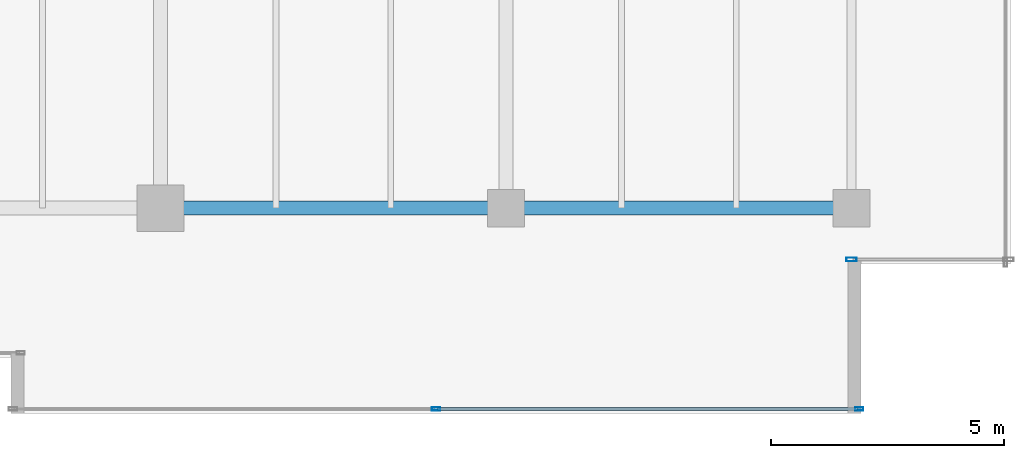
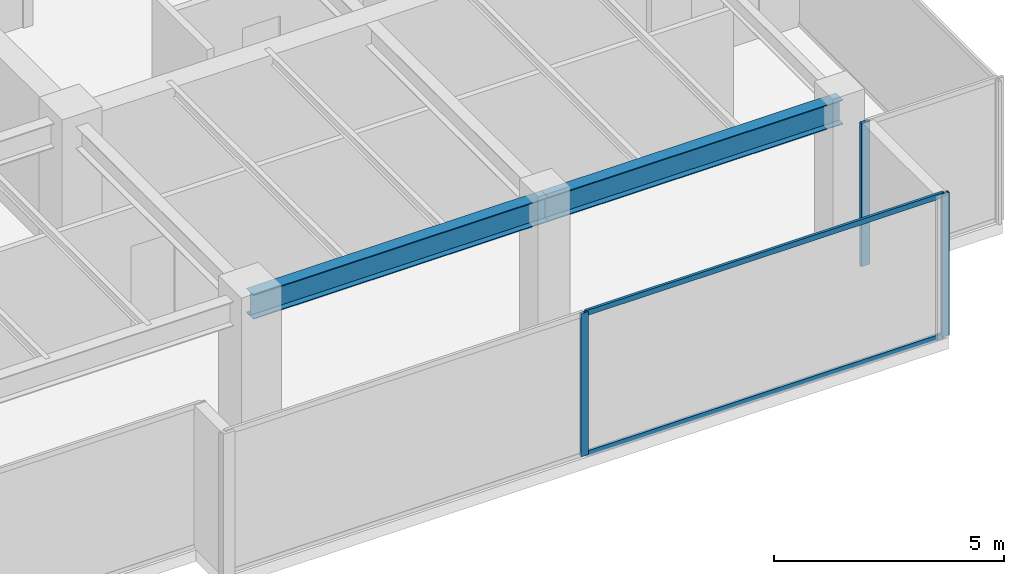
# One storey, part 13 of 33: 5 members, 2 beams, 2 elements without a shape of their own.
"""IFC4 building model written with IfcOpenShell, lengths in metres."""

from ifc_helpers import new_model, si_unit, direction, frame, origin, origin_2d, place, context, subcontext, project, spatial, hollow_rectangle, i_section, extrude, source, transform, mapped, material, layer, layer_set, material_profile, profile_set, type_object, type_shapes, element, aggregate, save


model = new_model("IFC4")

# Units and contexts
model_context = context("Model", 3, precision=1e-05, world=origin(), true_north=direction((0.0, 1.0)))
body_context = subcontext(model_context, "Body", "Model", "MODEL_VIEW")
ifc_project = project(units=[si_unit("LENGTHUNIT", "METRE"), si_unit("AREAUNIT", "SQUARE_METRE"), si_unit("VOLUMEUNIT", "CUBIC_METRE"), si_unit("PLANEANGLEUNIT", "RADIAN"), si_unit("MASSUNIT", "GRAM", prefix="KILO")], contexts=[model_context])

# Site, building, storey
site_placement = place(None, origin())
site = spatial("IfcSite", under=ifc_project, at=site_placement, CompositionType="ELEMENT")
building_placement = place(site_placement, origin())
building = spatial("IfcBuilding", under=site, at=building_placement, Name="Haelvirn Gate Laboratories", CompositionType="ELEMENT")
storey_placement = place(building_placement, frame((0.0, 0.0, 287.5)))
storey = spatial("IfcBuildingStorey", under=building, at=storey_placement, Name="L69", CompositionType="ELEMENT", Elevation=287.5)

# Beams
ifc_material_1 = material(Name="Steel SM355", Category="steel")
ifc_material_profile_1 = material_profile(ifc_material_1, i_section(OverallWidth=0.300048828125, OverallDepth=0.64990234375, WebThickness=0.012939453125, FlangeThickness=0.02197265625, at=origin_2d()), Name="H-650x300x13x22")
ifc_profile_set_1 = profile_set([ifc_material_profile_1], Name="Steel SM355")
beam_type = type_object("IfcBeamType", Name="BM-G-650", PredefinedType="BEAM", material=ifc_profile_set_1)
shared_shape_1 = source(origin(), body_context, "Body", "SweptSolid", [
    extrude(i_section(OverallWidth=0.300048828125, OverallDepth=0.64990234375, WebThickness=0.012939453125, FlangeThickness=0.02197265625, at=origin_2d()), origin(), (0.0, 0.0, 1.0), 7.39990234375),
])
type_shapes(beam_type, [shared_shape_1])
for number, where, z_axis, x_axis, name in (
    (1, (52.60009765625, 7.0, 3.47509765625), (1.0, 0.0, 0.0), (0.0, 1.0, 0.0), "L69 Primary Girder Y7.0 (52.6-60.0)"),
    (2, (60.0, 7.0, 3.47509765625), (1.0, 0.0, 0.0), (0.0, 1.0, 0.0), "L69 Primary Girder Y7.0 (60.0-67.4)"),
):
    element("IfcBeam", number, at=place(storey_placement, frame(where, z_axis=z_axis, x_axis=x_axis)), inside=storey, type_object=beam_type, Name=name, PredefinedType="BEAM", context=body_context, shape_type="MappedRepresentation", body=[
        mapped(shared_shape_1, transform((0.0, 0.0, 0.0), scale=1.0)),
    ])

# Curtain wall, members
ifc_material_2 = material(Name="Anodised bronze unitised aluminium & triple low-E glass", Category="aluminium")
ifc_layer_1 = layer(ifc_material_2, 0.176025390625, Name="CW-SYS-4")
ifc_layer_set_1 = layer_set([ifc_layer_1], Name="Anodised bronze unitised aluminium & triple low-E glass")
curtain_wall_type_1 = type_object("IfcCurtainWallType", Name="CW-SYS-4", PredefinedType="NOTDEFINED", material=ifc_layer_set_1)
curtain_wall_1_placement = place(storey_placement, origin())
curtain_wall_1 = element("IfcCurtainWall", 3, at=curtain_wall_1_placement, inside=storey, type_object=curtain_wall_type_1, Name="L69 Unitised Curtain Wall CW-L69-P0-E04-1", PredefinedType="NOTDEFINED")
ifc_material_3 = material(Name="Extruded aluminium 6063-T6 (anodised bronze)", Category="aluminium")
ifc_material_profile_2 = material_profile(ifc_material_3, hollow_rectangle(XDim=0.06494140625, YDim=0.139892578125, WallThickness=0.00390625, at=origin_2d()), Name="CWT-140x65x4")
ifc_profile_set_2 = profile_set([ifc_material_profile_2], Name="Extruded aluminium 6063-T6 (anodised bronze)")
member_type_1 = type_object("IfcMemberType", Name="CWT-T140", PredefinedType="USERDEFINED", material=ifc_profile_set_2)
shared_shape_2 = source(origin(), body_context, "Body", "SweptSolid", [
    extrude(hollow_rectangle(XDim=0.06494140625, YDim=0.139892578125, WallThickness=0.00390625, at=origin_2d()), origin(), (0.0, 0.0, 1.0), 8.9951171875),
])
type_shapes(member_type_1, [shared_shape_2])
member_1_placement = place(storey_placement, frame((58.534912109375, 2.699951171875, 0.032470703125), z_axis=(1.0, 0.0, 0.0), x_axis=(0.0, 1.0, 0.0)))
member_1 = element("IfcMember", 4, at=member_1_placement, type_object=member_type_1, Name="CW4 transom 2.1", ObjectType="TRANSOM", PredefinedType="USERDEFINED", context=body_context, shape_type="MappedRepresentation", body=[
    mapped(shared_shape_2, transform((0.0, 0.0, 0.0), scale=1.0)),
])
member_2_placement = place(storey_placement, frame((58.534912109375, 2.699951171875, 3.767578125), z_axis=(1.0, 0.0, 0.0), x_axis=(0.0, 1.0, 0.0)))
member_2 = element("IfcMember", 5, at=member_2_placement, type_object=member_type_1, Name="CW4 transom 2.2", ObjectType="TRANSOM", PredefinedType="USERDEFINED", context=body_context, shape_type="MappedRepresentation", body=[
    mapped(shared_shape_2, transform((0.0, 0.0, 0.0), scale=1.0)),
])
ifc_material_profile_3 = material_profile(ifc_material_3, hollow_rectangle(XDim=0.070068359375, YDim=0.179931640625, WallThickness=0.0048828125, at=origin_2d()), Name="CWM-180x70x5")
ifc_profile_set_3 = profile_set([ifc_material_profile_3], Name="Extruded aluminium 6063-T6 (anodised bronze)")
member_type_2 = type_object("IfcMemberType", Name="CWM-T180", PredefinedType="MULLION", material=ifc_profile_set_3)
shared_shape_3 = source(origin(), body_context, "Body", "SweptSolid", [
    extrude(hollow_rectangle(XDim=0.070068359375, YDim=0.179931640625, WallThickness=0.0048828125, at=origin_2d()), origin(), (0.0, 0.0, 1.0), 3.800048828125),
])
type_shapes(member_type_2, [shared_shape_3])
member_3_placement = place(storey_placement, frame((58.5, 2.699951171875, 0.0), z_axis=(0.0, 0.0, 1.0), x_axis=(0.0, 1.0, 0.0)))
member_3 = element("IfcMember", 6, at=member_3_placement, type_object=member_type_2, Name="CW4 mullion 2", PredefinedType="MULLION", context=body_context, shape_type="MappedRepresentation", body=[
    mapped(shared_shape_3, transform((0.0, 0.0, 0.0), scale=1.0)),
])
member_4_placement = place(storey_placement, frame((67.56494140625, 2.699951171875, 0.0), z_axis=(0.0, 0.0, 1.0), x_axis=(0.0, 1.0, 0.0)))
member_4 = element("IfcMember", 7, at=member_4_placement, type_object=member_type_2, Name="CW4 mullion 3", PredefinedType="MULLION", context=body_context, shape_type="MappedRepresentation", body=[
    mapped(shared_shape_3, transform((0.0, 0.0, 0.0), scale=1.0)),
])
aggregate(curtain_wall_1, [member_3, member_4, member_1, member_2])

# Curtain wall, member
ifc_layer_2 = layer(ifc_material_2, 0.181884765625, Name="CW-SYS-5")
ifc_layer_set_2 = layer_set([ifc_layer_2], Name="Anodised bronze unitised aluminium & triple low-E glass")
curtain_wall_type_2 = type_object("IfcCurtainWallType", Name="CW-SYS-5", PredefinedType="NOTDEFINED", material=ifc_layer_set_2)
curtain_wall_2_placement = place(storey_placement, origin())
curtain_wall_2 = element("IfcCurtainWall", 8, at=curtain_wall_2_placement, inside=storey, type_object=curtain_wall_type_2, Name="L69 Unitised Curtain Wall CW-L69-P0-E06-1", PredefinedType="NOTDEFINED")
ifc_material_profile_4 = material_profile(ifc_material_3, hollow_rectangle(XDim=0.080078125, YDim=0.219970703125, WallThickness=0.006103515625, at=origin_2d()), Name="CWM-220x80x6")
ifc_profile_set_4 = profile_set([ifc_material_profile_4], Name="Extruded aluminium 6063-T6 (anodised bronze)")
member_type_3 = type_object("IfcMemberType", Name="CWM-T220", PredefinedType="MULLION", material=ifc_profile_set_4)
shared_shape_4 = source(origin(), body_context, "Body", "SweptSolid", [
    extrude(hollow_rectangle(XDim=0.080078125, YDim=0.219970703125, WallThickness=0.006103515625, at=origin_2d()), origin(), (0.0, 0.0, 1.0), 3.800048828125),
])
type_shapes(member_type_3, [shared_shape_4])
member_5_placement = place(storey_placement, frame((67.39990234375, 5.89990234375, 0.0), z_axis=(0.0, 0.0, 1.0), x_axis=(0.0, 1.0, 0.0)))
member_5 = element("IfcMember", 9, at=member_5_placement, type_object=member_type_3, Name="CW5 mullion 1", PredefinedType="MULLION", context=body_context, shape_type="MappedRepresentation", body=[
    mapped(shared_shape_4, transform((0.0, 0.0, 0.0), scale=1.0)),
])
aggregate(curtain_wall_2, [member_5])

save(model, "model.ifc")
